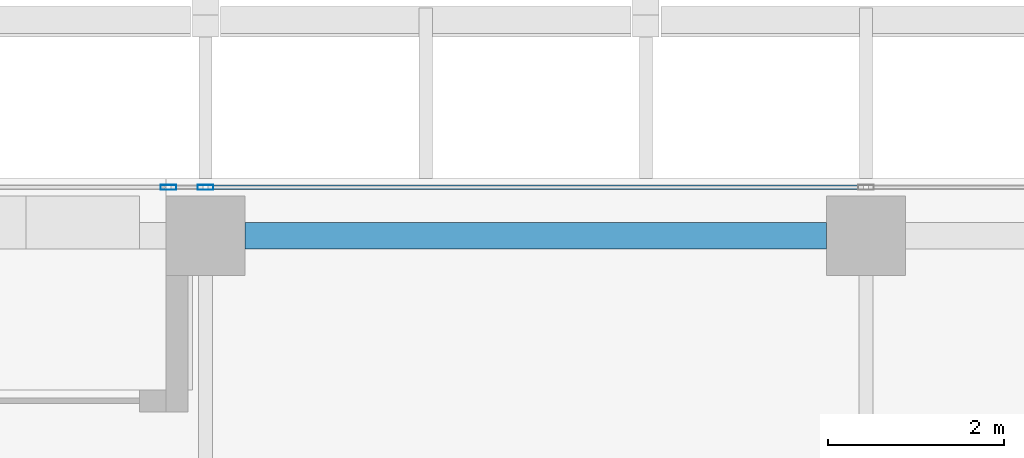
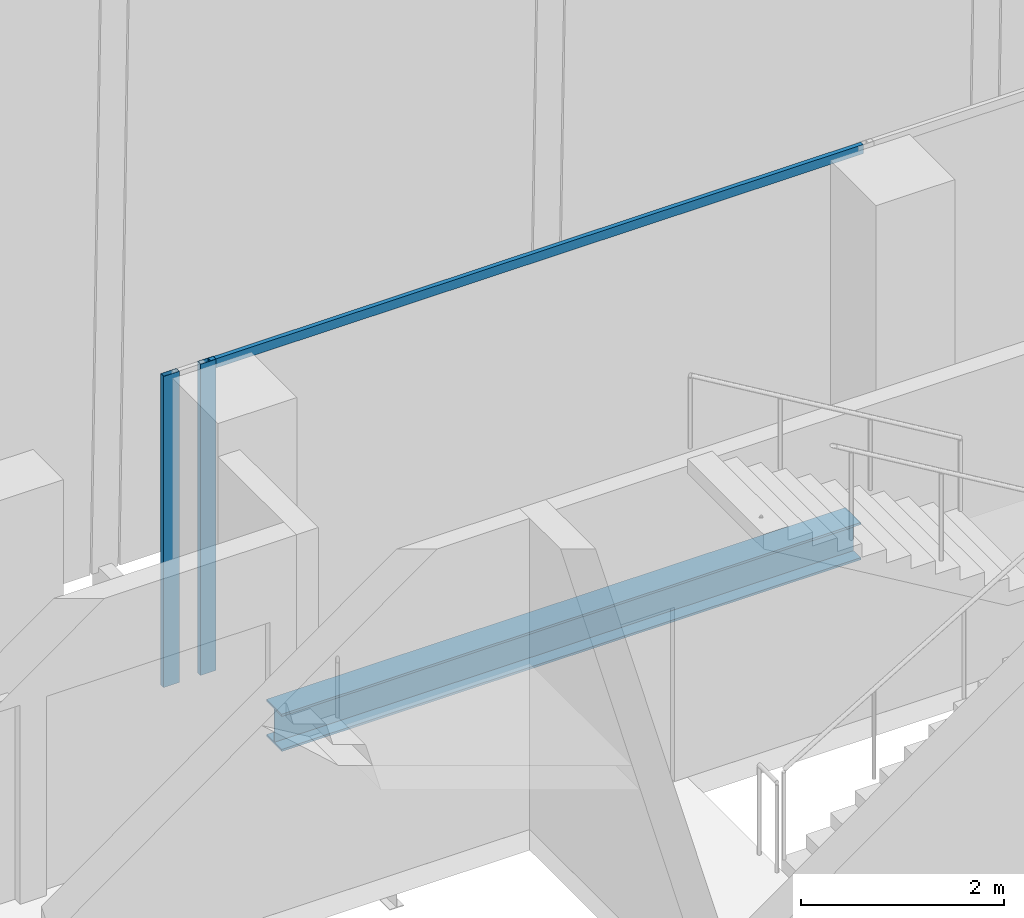
# One storey, part 16 of 35: 3 members, 1 beam, 1 element without a shape of its own.
"""IFC4 building model written with IfcOpenShell, lengths in metres."""

import ifcopenshell
import ifcopenshell.guid

model = None  # the IFC model being written
_history = None  # IfcOwnerHistory: only IFC2X3 demands one
_inside = {}  # id of a spatial element -> (the spatial element, [elements in it])
_under = {}  # id of a project, library or spatial element -> (it, [spatial elements below it])
_declared = {}  # id of a project -> (the project, [libraries it declares])
_typed = {}  # id of a type object -> (the type object, [elements of that type])
_made_of = {}  # id of a material, layer set ... -> (it, [elements and type objects made of it])


def new_model(schema):
    """Start an empty IFC model of exactly this schema.

    Asked for "IFC4X3", IfcOpenShell would pick the latest addendum, in which some entities
    have other attributes; the version numbers below select the first issue.
    IFC2X3 requires an IfcOwnerHistory on every rooted entity: one is made here for all.
    """
    global model, _history
    if schema == "IFC4X3":
        model = ifcopenshell.file(schema_version=(4, 3, 0, 0))
    else:
        model = ifcopenshell.file(schema=schema)
    _inside.clear()
    _under.clear()
    _declared.clear()
    _typed.clear()
    _made_of.clear()
    _history = None
    if model.schema == "IFC2X3":
        org = make("IfcOrganization", Name="unknown")
        user = make(
            "IfcPersonAndOrganization",
            ThePerson=make("IfcPerson", FamilyName="unknown"),
            TheOrganization=org,
        )
        app = make(
            "IfcApplication",
            ApplicationDeveloper=org,
            Version="unknown",
            ApplicationFullName="unknown",
            ApplicationIdentifier="unknown",
        )
        _history = make(
            "IfcOwnerHistory",
            OwningUser=user,
            OwningApplication=app,
            ChangeAction="ADDED",
            CreationDate=0,
        )
    return model


def make(cls, **values):
    """One entity of the class cls with the attributes given. An attribute that is None is left unset."""
    return model.create_entity(
        cls, **{name: value for name, value in values.items() if value is not None}
    )


def rooted(cls, **values):
    """An entity with a GlobalId (a new one), such as an element, a storey or a relation."""
    return make(cls, GlobalId=ifcopenshell.guid.new(), OwnerHistory=_history, **values)


def si_unit(unit_type, name, prefix=None):
    """IfcSIUnit, for example si_unit("LENGTHUNIT", "METRE", prefix="MILLI")."""
    return make("IfcSIUnit", UnitType=unit_type, Prefix=prefix, Name=name)


def assignment(units):
    """IfcUnitAssignment: the units of a project."""
    return None if units is None else make("IfcUnitAssignment", Units=units)


def point(xyz):
    """IfcCartesianPoint."""
    return None if xyz is None else make("IfcCartesianPoint", Coordinates=xyz)


def direction(xyz):
    """IfcDirection."""
    return None if xyz is None else make("IfcDirection", DirectionRatios=xyz)


def frame(location, z_axis=None, x_axis=None):
    """IfcAxis2Placement3D, a coordinate frame: its origin and axes. An axis left out is left unset."""
    return make(
        "IfcAxis2Placement3D",
        Location=point(location),
        Axis=direction(z_axis),
        RefDirection=direction(x_axis),
    )


def frame_2d(location, x_axis=None):
    """IfcAxis2Placement2D, a coordinate frame in the plane: its origin and x axis."""
    return make(
        "IfcAxis2Placement2D", Location=point(location), RefDirection=direction(x_axis)
    )


def origin():
    """The frame at (0, 0, 0) with its axes left unset."""
    return frame((0.0, 0.0, 0.0))


def origin_2d():
    """The frame at (0, 0) in the plane with its x axis left unset."""
    return frame_2d((0.0, 0.0))


def place(relative_to, where):
    """IfcLocalPlacement: puts the frame where relative to a parent placement (None: the world)."""
    return make(
        "IfcLocalPlacement", PlacementRelTo=relative_to, RelativePlacement=where
    )


def context(
    kind, dimensions, precision=None, world=None, true_north=None, identifier=None
):
    """IfcGeometricRepresentationContext, for example the 3D "Model" context."""
    return make(
        "IfcGeometricRepresentationContext",
        ContextIdentifier=identifier,
        ContextType=kind,
        CoordinateSpaceDimension=dimensions,
        Precision=precision,
        WorldCoordinateSystem=world,
        TrueNorth=true_north,
    )


def subcontext(parent, identifier, kind, view, scale=None):
    """IfcGeometricRepresentationSubContext, for example "Body" below "Model"."""
    return make(
        "IfcGeometricRepresentationSubContext",
        ContextIdentifier=identifier,
        ContextType=kind,
        ParentContext=parent,
        TargetScale=scale,
        TargetView=view,
    )


def project(units=None, contexts=None):
    """IfcProject with its units and contexts."""
    return rooted(
        "IfcProject",
        Name="project",
        RepresentationContexts=contexts,
        UnitsInContext=assignment(units),
    )


def spatial(cls, under=None, at=None, **own):
    """A site, building, storey or space (cls), placed at a placement, below another one or the project."""
    s = rooted(cls, ObjectPlacement=at, **own)
    if under is not None:
        _under.setdefault(under.id(), (under, []))[1].append(s)
    return s


def profile(cls, at=None, kind="AREA", **sizes):
    """A parametric profile (cls). Its sizes go by their IFC names, for example OverallWidth=200.0."""
    return make(cls, ProfileType=kind, Position=at, **sizes)


def hollow_rectangle(**sizes):
    """IfcRectangleHollowProfileDef."""
    return profile("IfcRectangleHollowProfileDef", **sizes)


def i_section(**sizes):
    """IfcIShapeProfileDef."""
    return profile("IfcIShapeProfileDef", **sizes)


def extrude(swept, where, along, depth):
    """IfcExtrudedAreaSolid: the profile swept, set in the frame where, extruded along a direction by depth."""
    return make(
        "IfcExtrudedAreaSolid",
        SweptArea=swept,
        Position=where,
        ExtrudedDirection=direction(along),
        Depth=depth,
    )


def shape(context_of_items, identifier, shape_type, items):
    """IfcShapeRepresentation: the items that make up one representation, for example the "Body"."""
    return make(
        "IfcShapeRepresentation",
        ContextOfItems=context_of_items,
        RepresentationIdentifier=identifier,
        RepresentationType=shape_type,
        Items=items,
    )


def source(mapping_origin, context_of_items, identifier, shape_type, items):
    """IfcRepresentationMap: a shape defined once, which mapped items show again and again."""
    return make(
        "IfcRepresentationMap",
        MappingOrigin=mapping_origin,
        MappedRepresentation=shape(context_of_items, identifier, shape_type, items),
    )


def transform(
    local_origin,
    x_axis=None,
    y_axis=None,
    z_axis=None,
    scale=None,
    scale2=None,
    scale3=None,
    uniform=True,
):
    """IfcCartesianTransformationOperator3D, or its non-uniform kind. x_axis, y_axis, z_axis: its Axis1, 2, 3."""
    if uniform:
        return make(
            "IfcCartesianTransformationOperator3D",
            Axis1=direction(x_axis),
            Axis2=direction(y_axis),
            LocalOrigin=point(local_origin),
            Scale=scale,
            Axis3=direction(z_axis),
        )
    return make(
        "IfcCartesianTransformationOperator3DnonUniform",
        Axis1=direction(x_axis),
        Axis2=direction(y_axis),
        LocalOrigin=point(local_origin),
        Scale=scale,
        Axis3=direction(z_axis),
        Scale2=scale2,
        Scale3=scale3,
    )


def mapped(mapping_source, mapping_target):
    """IfcMappedItem: shows the shape of a source again, moved by a transform."""
    return make(
        "IfcMappedItem", MappingSource=mapping_source, MappingTarget=mapping_target
    )


def material(Name=None, Category=None):
    """IfcMaterial."""
    return make("IfcMaterial", Name=Name, Category=Category)


def material_profile(
    of_material, cross_section, Name=None, Category=None, Priority=None
):
    """IfcMaterialProfile: a cross section and its material."""
    return make(
        "IfcMaterialProfile",
        Name=Name,
        Material=of_material,
        Profile=cross_section,
        Priority=Priority,
        Category=Category,
    )


def profile_set(profiles, Name=None, composite=None):
    """IfcMaterialProfileSet."""
    return make(
        "IfcMaterialProfileSet",
        Name=Name,
        MaterialProfiles=profiles,
        CompositeProfile=composite,
    )


def made_of(thing, what):
    """Note that an element or type object is made of a material, layer set ...; save() writes the relation."""
    if what is not None:
        _made_of.setdefault(what.id(), (what, []))[1].append(thing)
    return thing


def type_object(cls, material=None, **own):
    """A type object (cls), such as IfcWallType, which elements share."""
    return made_of(rooted(cls, **own), material)


def element(
    cls,
    number,
    at=None,
    inside=None,
    cuts=None,
    type_object=None,
    material=None,
    context=None,
    identifier="Body",
    shape_type=None,
    held_by="IfcProductDefinitionShape",
    body=None,
    shapes=None,
    **own,
):
    """One element of the class cls, such as IfcWall. Its Tag is "e" and its number.

    at: its placement. inside: the storey or other place that contains it. cuts: it is an
    opening in that element (IfcRelVoidsElement). A single representation is given by context,
    identifier, shape_type and body (its items); several are given by shapes. held_by: the class
    of the entity that holds the representations. save() writes the other relations.
    """
    e = rooted(cls, Tag="e%d" % number, ObjectPlacement=at, **own)
    if body is not None:
        shapes = [shape(context, identifier, shape_type, body)]
    if shapes is not None:
        e.Representation = make(held_by, Representations=shapes)
    if inside is not None:
        _inside.setdefault(inside.id(), (inside, []))[1].append(e)
    if cuts is not None:
        rooted(
            "IfcRelVoidsElement", RelatingBuildingElement=cuts, RelatedOpeningElement=e
        )
    if type_object is not None:
        _typed.setdefault(type_object.id(), (type_object, []))[1].append(e)
    return made_of(e, material)


def aggregate(whole, parts):
    """IfcRelAggregates: a whole, such as a stair, and the parts it consists of."""
    return rooted("IfcRelAggregates", RelatingObject=whole, RelatedObjects=parts)


def save(model, path):
    """Write the relations noted so far, then the file.

    IfcRelAggregates (storeys below a building ...), IfcRelContainedInSpatialStructure (elements
    in a storey), IfcRelDefinesByType, IfcRelAssociatesMaterial and IfcRelDeclares: one each for
    every whole, place, type object, material and project.
    """
    for whole, parts in _under.values():
        aggregate(whole, parts)
    for where, things in _inside.values():
        rooted(
            "IfcRelContainedInSpatialStructure",
            RelatedElements=things,
            RelatingStructure=where,
        )
    for kind, things in _typed.values():
        rooted("IfcRelDefinesByType", RelatedObjects=things, RelatingType=kind)
    for what, things in _made_of.values():
        rooted("IfcRelAssociatesMaterial", RelatedObjects=things, RelatingMaterial=what)
    for by, libraries in _declared.values():
        rooted("IfcRelDeclares", RelatingContext=by, RelatedDefinitions=libraries)
    model.write(path)


model = new_model("IFC4")

# Units and contexts
model_context = context("Model", 3, precision=1e-05, world=origin(), true_north=direction((0.0, 1.0)))
body_context = subcontext(model_context, "Body", "Model", "MODEL_VIEW")
ifc_project = project(units=[si_unit("LENGTHUNIT", "METRE"), si_unit("AREAUNIT", "SQUARE_METRE"), si_unit("VOLUMEUNIT", "CUBIC_METRE"), si_unit("PLANEANGLEUNIT", "RADIAN"), si_unit("MASSUNIT", "GRAM", prefix="KILO")], contexts=[model_context])

# Site, building, storey
site_placement = place(None, origin())
site = spatial("IfcSite", under=ifc_project, at=site_placement, CompositionType="ELEMENT")
building_placement = place(site_placement, origin())
building = spatial("IfcBuilding", under=site, at=building_placement, Name="Khomas Fold Tower", CompositionType="ELEMENT")
storey_placement = place(building_placement, frame((0.0, 0.0, 246.199951171875)))
storey = spatial("IfcBuildingStorey", under=building, at=storey_placement, Name="L55", CompositionType="ELEMENT", Elevation=246.199951171875)

# Beam
ifc_material_1 = material(Name="Steel S355", Category="steel")
ifc_material_profile_1 = material_profile(ifc_material_1, i_section(OverallWidth=0.300048828125, OverallDepth=0.449951171875, WebThickness=0.013916015625, FlangeThickness=0.02587890625, at=origin_2d()), Name="HE 450 B")
ifc_profile_set_1 = profile_set([ifc_material_profile_1], Name="Steel S355")
beam_type = type_object("IfcBeamType", Name="HE 450 B spandrel SB4", PredefinedType="SPANDREL", material=ifc_profile_set_1)
shared_shape_1 = source(origin(), body_context, "Body", "SweptSolid", [
    extrude(i_section(OverallWidth=0.300048828125, OverallDepth=0.449951171875, WebThickness=0.013916015625, FlangeThickness=0.02587890625, at=origin_2d()), origin(), (0.0, 0.0, 1.0), 6.60009765625),
])
beam_placement = place(storey_placement, frame((19.949951171875, 48.85009765625, -0.474853515625), z_axis=(1.0, 0.0, 0.0), x_axis=(0.0, 1.0, 0.0)))
element("IfcBeam", 1, at=beam_placement, inside=storey, type_object=beam_type, Name="SB4", PredefinedType="SPANDREL", context=body_context, shape_type="MappedRepresentation", body=[
    mapped(shared_shape_1, transform((0.0, 0.0, 0.0))),
])

# Curtain wall, members
ifc_material_2 = material(Name="Aluminium framed double glazing", Category="aluminium")
curtain_wall_type = type_object("IfcCurtainWallType", Name="SK-Unitised clear-glass wall, office floors CW2", PredefinedType="NOTDEFINED", material=ifc_material_2)
curtain_wall_placement = place(storey_placement, origin())
curtain_wall = element("IfcCurtainWall", 2, at=curtain_wall_placement, inside=storey, type_object=curtain_wall_type, Name="CW2 run L55 06-0", PredefinedType="NOTDEFINED")
ifc_material_3 = material(Name="Aluminium", Category="aluminium")
ifc_material_profile_2 = material_profile(ifc_material_3, hollow_rectangle(XDim=0.06005859375, YDim=0.179931640625, WallThickness=0.00390625, at=origin_2d()), Name="SK-Unitised clear-glass wall, office floors mullion CW2-M")
ifc_profile_set_2 = profile_set([ifc_material_profile_2], Name="Aluminium")
member_type_1 = type_object("IfcMemberType", Name="SK-Unitised clear-glass wall, office floors mullion CW2-M", PredefinedType="MULLION", material=ifc_profile_set_2)
shared_shape_2 = source(origin(), body_context, "Body", "SweptSolid", [
    extrude(hollow_rectangle(XDim=0.06005859375, YDim=0.179931640625, WallThickness=0.00390625, at=origin_2d()), origin(), (0.0, 0.0, 1.0), 3.75),
])
member_1_placement = place(storey_placement, frame((19.5, 49.39990234375, 0.0), z_axis=(0.0, 0.0, 1.0), x_axis=(0.0, -1.0, 0.0)))
member_1 = element("IfcMember", 3, at=member_1_placement, type_object=member_type_1, Name="CW2 mullion 5", PredefinedType="MULLION", context=body_context, shape_type="MappedRepresentation", body=[
    mapped(shared_shape_2, transform((0.0, 0.0, 0.0))),
])
member_2_placement = place(storey_placement, frame((19.080078125, 49.39990234375, 0.0), z_axis=(0.0, 0.0, 1.0), x_axis=(0.0, -1.0, 0.0)))
member_2 = element("IfcMember", 4, at=member_2_placement, type_object=member_type_1, Name="CW2 mullion 6", PredefinedType="MULLION", context=body_context, shape_type="MappedRepresentation", body=[
    mapped(shared_shape_2, transform((0.0, 0.0, 0.0))),
])
ifc_material_4 = material(Name="Aluminium", Category="aluminium")
ifc_material_profile_3 = material_profile(ifc_material_4, hollow_rectangle(XDim=0.050048828125, YDim=0.110107421875, WallThickness=0.00390625, at=origin_2d()), Name="SK-Unitised clear-glass wall, office floors transom CW2-T")
ifc_profile_set_3 = profile_set([ifc_material_profile_3], Name="Aluminium")
member_type_2 = type_object("IfcMemberType", Name="SK-Unitised clear-glass wall, office floors transom CW2-T", PredefinedType="USERDEFINED", material=ifc_profile_set_3)
shared_shape_3 = source(origin(), body_context, "Body", "SweptSolid", [
    extrude(hollow_rectangle(XDim=0.050048828125, YDim=0.110107421875, WallThickness=0.00390625, at=origin_2d()), origin(), (0.0, 0.0, 1.0), 7.43994140625),
])
member_3_placement = place(storey_placement, frame((26.969970703125, 49.39990234375, 3.695068359375), z_axis=(-1.0, 0.0, 0.0), x_axis=(0.0, -1.0, 0.0)))
member_3 = element("IfcMember", 5, at=member_3_placement, type_object=member_type_2, Name="CW2 transom 4", ObjectType="TRANSOM", PredefinedType="USERDEFINED", context=body_context, shape_type="MappedRepresentation", body=[
    mapped(shared_shape_3, transform((0.0, 0.0, 0.0))),
])
aggregate(curtain_wall, [member_1, member_2, member_3])

save(model, "model.ifc")
